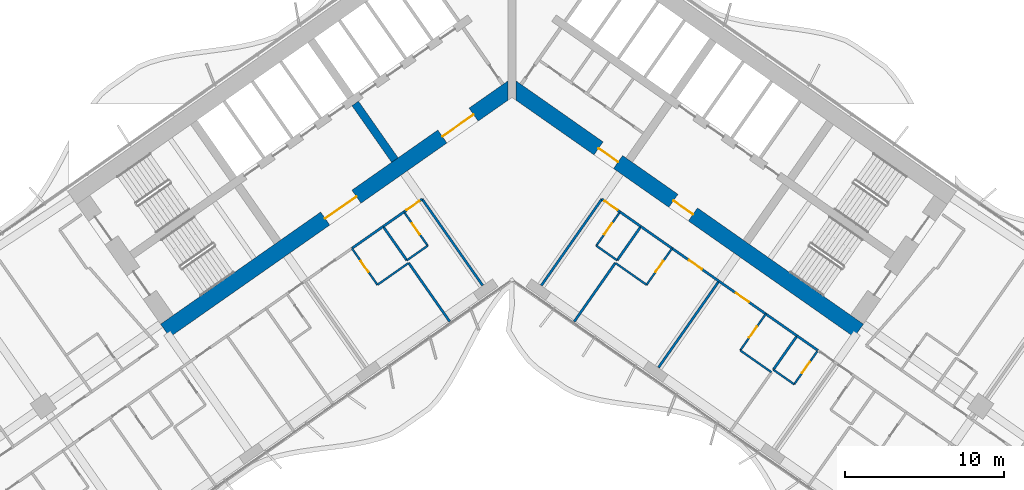
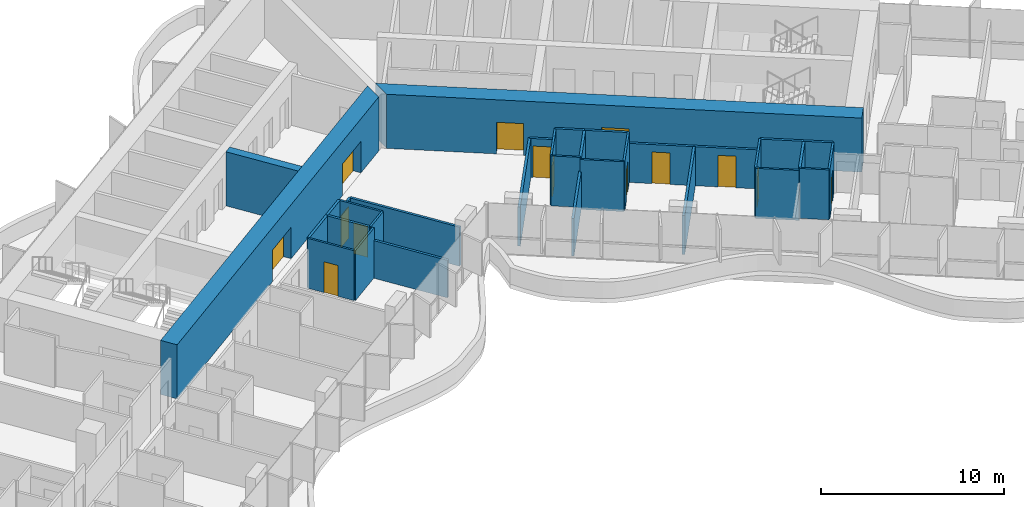
# One storey, part 15 of 25: 33 walls, 14 doors, 14 openings.
"""IFC4 building model written with IfcOpenShell, lengths in metres."""

from ifc_helpers import new_model, si_unit, direction, frame, frame_2d, origin, place, context, subcontext, project, spatial, polyline, rectangle, outline, extrude, material, layer, layer_set, type_object, element, fill, save


model = new_model("IFC4")

# Units and contexts
model_context = context("Model", 3, precision=1e-05, world=origin(), true_north=direction((0.0, 1.0)))
body_context = subcontext(model_context, "Body", "Model", "MODEL_VIEW")
ifc_project = project(units=[si_unit("LENGTHUNIT", "METRE"), si_unit("AREAUNIT", "SQUARE_METRE"), si_unit("VOLUMEUNIT", "CUBIC_METRE"), si_unit("PLANEANGLEUNIT", "RADIAN"), si_unit("MASSUNIT", "GRAM", prefix="KILO")], contexts=[model_context])

# Site, building, storey
site_placement = place(None, origin())
site = spatial("IfcSite", under=ifc_project, at=site_placement, CompositionType="ELEMENT")
building_placement = place(site_placement, origin())
building = spatial("IfcBuilding", under=site, at=building_placement, Name="Tel Ilan Convention Tower", CompositionType="ELEMENT")
storey_placement = place(building_placement, frame((0.0, 0.0, 58.10009765625)))
storey = spatial("IfcBuildingStorey", under=building, at=storey_placement, Name="L09", CompositionType="ELEMENT", Elevation=58.10009765625)

# Wall, openings, doors
ifc_material_1 = material(Name="Concrete C60/75", Category="concrete")
ifc_layer_1 = layer(ifc_material_1, 1.0)
ifc_layer_set_1 = layer_set([ifc_layer_1], Name="Core Shear Wall 1000 mm C60/75")
wall_type_1 = type_object("IfcWallType", Name="Core Shear Wall 1000 mm C60/75", PredefinedType="SHEAR", material=ifc_layer_set_1)
wall_1_placement = place(storey_placement, frame((0.036865234375, -0.584716796875, 0.0), z_axis=(0.0, 0.0, 1.0), x_axis=(-0.819157152511, -0.573569140985, 0.0)))
wall_1 = element("IfcWall", 1, at=wall_1_placement, inside=storey, type_object=wall_type_1, Name="L09 core wall W-front", PredefinedType="SHEAR", context=body_context, shape_type="SweptSolid", body=[
    extrude(outline(polyline([(26.69482421875, 0.500244140625), (0.7001953125, 0.499755859375), (0.0, -0.5), (26.69482421875, -0.499755859375), (26.69482421875, 0.500244140625)])), origin(), (0.0, 0.0, 1.0), 3.599853515625),
])
opening_1_placement = place(wall_1_placement, frame((2.994873046875, 0.0, 0.0)))
opening_1 = element("IfcOpeningElement", 2, at=opening_1_placement, cuts=wall_1, Name="Opening CD1105", PredefinedType="OPENING", context=body_context, shape_type="SweptSolid", body=[
    extrude(rectangle(XDim=2.39990234375, YDim=2.10009765625, at=frame_2d((1.199951171875, 1.050048828125))), frame((0.0, 0.510009765625, 0.0), z_axis=(0.0, -1.0, 0.0), x_axis=(1.0, 0.0, 0.0)), (0.0, 0.0, 1.0), 1.02001953125),
])
opening_2_placement = place(wall_1_placement, frame((11.994873046875, 0.0, 0.0)))
opening_2 = element("IfcOpeningElement", 3, at=opening_2_placement, cuts=wall_1, Name="Opening CD1106", PredefinedType="OPENING", context=body_context, shape_type="SweptSolid", body=[
    extrude(rectangle(XDim=2.39990234375, YDim=2.10009765625, at=frame_2d((1.199951171875, 1.050048828125))), frame((0.0, 0.510009765625, 0.0), z_axis=(0.0, -1.0, 0.0), x_axis=(1.0, 0.0, 0.0)), (0.0, 0.0, 1.0), 1.02001953125),
])
ifc_material_2 = material(Name="Glazed Aluminium Door Leaf", Category="aluminium")
door_type_1 = type_object("IfcDoorType", Name="Lobby Opening Door 2400 x 2100 FD60S", OperationType="NOTDEFINED", PredefinedType="DOOR", material=ifc_material_2)
door_1_placement = place(opening_1_placement, origin())
door_1 = element("IfcDoor", 4, at=door_1_placement, inside=storey, type_object=door_type_1, Name="Lift Lobby LR1-LR4 opening", OperationType="DOUBLE_DOOR_SINGLE_SWING", OverallHeight=2.10009765625, OverallWidth=2.39990234375, PredefinedType="DOOR", context=body_context, shape_type="SweptSolid", body=[
    extrude(rectangle(XDim=2.39990234375, YDim=2.10009765625, at=frame_2d((1.199951171875, 1.050048828125))), frame((0.0, 0.02490234375, 0.0), z_axis=(0.0, -1.0, 0.0), x_axis=(1.0, 0.0, 0.0)), (0.0, 0.0, 1.0), 0.050048828125),
])
fill(opening_1, door_1)
door_2_placement = place(opening_2_placement, origin())
door_2 = element("IfcDoor", 5, at=door_2_placement, inside=storey, type_object=door_type_1, Name="Lift Lobby LR5-LR8 opening", OperationType="DOUBLE_DOOR_SINGLE_SWING", OverallHeight=2.10009765625, OverallWidth=2.39990234375, PredefinedType="DOOR", context=body_context, shape_type="SweptSolid", body=[
    extrude(rectangle(XDim=2.39990234375, YDim=2.10009765625, at=frame_2d((1.199951171875, 1.050048828125))), frame((0.0, 0.02490234375, 0.0), z_axis=(0.0, -1.0, 0.0), x_axis=(1.0, 0.0, 0.0)), (0.0, 0.0, 1.0), 0.050048828125),
])
fill(opening_2, door_2)

wall_2_placement = place(storey_placement, frame((-0.036865234375, -0.584716796875, 0.0), z_axis=(0.0, 0.0, 1.0), x_axis=(0.819157152511, -0.573569140985, 0.0)))
wall_2 = element("IfcWall", 6, at=wall_2_placement, inside=storey, type_object=wall_type_1, Name="L09 core wall E-front", PredefinedType="SHEAR", context=body_context, shape_type="SweptSolid", body=[
    extrude(outline(polyline([(26.69482421875, 0.499755859375), (0.0, 0.5), (0.7001953125, -0.499755859375), (26.69482421875, -0.500244140625), (26.69482421875, 0.499755859375)])), origin(), (0.0, 0.0, 1.0), 3.599853515625),
])
opening_3_placement = place(wall_2_placement, frame((6.69482421875, 0.0, 0.0)))
opening_3 = element("IfcOpeningElement", 7, at=opening_3_placement, cuts=wall_2, Name="Opening CD1103", PredefinedType="OPENING", context=body_context, shape_type="SweptSolid", body=[
    extrude(rectangle(XDim=1.5, YDim=2.10009765625, at=frame_2d((0.75, 1.050048828125))), frame((0.0, 0.510009765625, 0.0), z_axis=(0.0, -1.0, 0.0), x_axis=(1.0, 0.0, 0.0)), (0.0, 0.0, 1.0), 1.02001953125),
])
opening_4_placement = place(wall_2_placement, frame((12.44482421875, 0.0, 0.0)))
opening_4 = element("IfcOpeningElement", 8, at=opening_4_placement, cuts=wall_2, Name="Opening CD1104", PredefinedType="OPENING", context=body_context, shape_type="SweptSolid", body=[
    extrude(rectangle(XDim=1.5, YDim=2.10009765625, at=frame_2d((0.75, 1.050048828125))), frame((0.0, 0.510009765625, 0.0), z_axis=(0.0, -1.0, 0.0), x_axis=(1.0, 0.0, 0.0)), (0.0, 0.0, 1.0), 1.02001953125),
])
ifc_material_3 = material(Name="Glazed Aluminium Door Leaf", Category="aluminium")
door_type_2 = type_object("IfcDoorType", Name="Lobby Opening Door 1500 x 2100 FD60S", OperationType="NOTDEFINED", PredefinedType="DOOR", material=ifc_material_3)
door_3_placement = place(opening_4_placement, origin())
door_3 = element("IfcDoor", 9, at=door_3_placement, inside=storey, type_object=door_type_2, Name="Firefighting Lobby door", OperationType="DOUBLE_DOOR_SINGLE_SWING", OverallHeight=2.10009765625, OverallWidth=1.5, PredefinedType="DOOR", context=body_context, shape_type="SweptSolid", body=[
    extrude(rectangle(XDim=1.5, YDim=2.10009765625, at=frame_2d((0.75, 1.050048828125))), frame((0.0, 0.02490234375, 0.0), z_axis=(0.0, -1.0, 0.0), x_axis=(1.0, 0.0, 0.0)), (0.0, 0.0, 1.0), 0.050048828125),
])
fill(opening_4, door_3)
ifc_material_4 = material(Name="Laminated Timber Door Leaf", Category="wood")
door_type_3 = type_object("IfcDoorType", Name="Toilet Door 1500 x 2100 FD30S", OperationType="NOTDEFINED", PredefinedType="DOOR", material=ifc_material_4)
door_4_placement = place(opening_3_placement, origin())
door_4 = element("IfcDoor", 10, at=door_4_placement, inside=storey, type_object=door_type_3, Name="WC Lobby door", OperationType="SINGLE_SWING_RIGHT", OverallHeight=2.10009765625, OverallWidth=1.5, PredefinedType="DOOR", context=body_context, shape_type="SweptSolid", body=[
    extrude(rectangle(XDim=1.5, YDim=2.10009765625, at=frame_2d((0.75, 1.050048828125))), frame((0.0, 0.02490234375, 0.0), z_axis=(0.0, -1.0, 0.0), x_axis=(1.0, 0.0, 0.0)), (0.0, 0.0, 1.0), 0.050048828125),
])
fill(opening_3, door_4)

# Wall
ifc_material_5 = material(Name="Concrete C60/75", Category="concrete")
ifc_layer_2 = layer(ifc_material_5, 0.5)
ifc_layer_set_2 = layer_set([ifc_layer_2], Name="Core Shear Wall 500 mm C60/75")
wall_type_2 = type_object("IfcWallType", Name="Core Shear Wall 500 mm C60/75", PredefinedType="SHEAR", material=ifc_layer_set_2)
wall_3_placement = place(storey_placement, frame((-7.372314453125, -5.162109375, 0.0), z_axis=(0.0, 0.0, 1.0), x_axis=(-0.573594173421, 0.819139624372, 0.0)))
element("IfcWall", 11, at=wall_3_placement, inside=storey, type_object=wall_type_2, Name="L09 core wall W-cross1-1", PredefinedType="SHEAR", context=body_context, shape_type="SweptSolid", body=[
    extrude(outline(polyline([(4.349853515625, 0.25), (0.0, 0.250244140625), (0.0, -0.25), (4.349853515625, -0.25), (4.349853515625, 0.25)])), origin(), (0.0, 0.0, 1.0), 3.599853515625),
])

# Wall, opening, door
ifc_material_6 = material(Name="Plasterboard on Steel Studs", Category="steel")
ifc_layer_3 = layer(ifc_material_6, 0.14990234375)
ifc_layer_set_3 = layer_set([ifc_layer_3], Name="Fire-rated Partition 150 EI 60")
wall_type_3 = type_object("IfcWallType", Name="Fire-rated Partition 150 EI 60", PredefinedType="PARTITIONING", material=ifc_layer_set_3)
wall_4_placement = place(storey_placement, frame((6.79931640625, -8.423095703125, 0.0), z_axis=(0.0, 0.0, 1.0), x_axis=(-0.819207359301, 0.573497430219, 0.0)))
wall_4 = element("IfcWall", 12, at=wall_4_placement, inside=storey, type_object=wall_type_3, Name="Partition 009", PredefinedType="PARTITIONING", context=body_context, shape_type="SweptSolid", body=[
    extrude(rectangle(XDim=1.40087890625, YDim=0.14990234375, at=frame_2d((0.700439453125, 0.0))), origin(), (0.0, 0.0, 1.0), 2.599853515625),
])
opening_5_placement = place(wall_4_placement, frame((0.200927734375, 0.0, 0.0)))
opening_5 = element("IfcOpeningElement", 13, at=opening_5_placement, cuts=wall_4, Name="Opening L08-025", PredefinedType="OPENING", context=body_context, shape_type="SweptSolid", body=[
    extrude(rectangle(XDim=1.0, YDim=2.10009765625, at=frame_2d((0.5, 1.050048828125))), frame((0.0, 0.0849609375, 0.0), z_axis=(0.0, -1.0, 0.0), x_axis=(1.0, 0.0, 0.0)), (0.0, 0.0, 1.0), 0.169921875),
])
ifc_material_7 = material(Name="Timber Door Leaf in Steel Frame", Category="steel")
door_type_4 = type_object("IfcDoorType", Name="Hotel Room Entrance Fire Door 1000x2100", OperationType="NOTDEFINED", PredefinedType="DOOR", material=ifc_material_7)
door_5_placement = place(opening_5_placement, origin())
door_5 = element("IfcDoor", 14, at=door_5_placement, inside=storey, type_object=door_type_4, Name="Door L08-025", OperationType="SINGLE_SWING_RIGHT", OverallHeight=2.10009765625, OverallWidth=1.0, PredefinedType="DOOR", context=body_context, shape_type="SweptSolid", body=[
    extrude(rectangle(XDim=1.0, YDim=2.10009765625, at=frame_2d((0.5, 1.050048828125))), frame((0.0, 0.02490234375, 0.0), z_axis=(0.0, -1.0, 0.0), x_axis=(1.0, 0.0, 0.0)), (0.0, 0.0, 1.0), 0.050048828125),
])
fill(opening_5, door_5)

# Wall
wall_5_placement = place(storey_placement, frame((8.110595703125, -9.341552734375, 0.0), z_axis=(0.0, 0.0, 1.0), x_axis=(-0.8190674132, 0.573697283098, 0.0)))
element("IfcWall", 15, at=wall_5_placement, inside=storey, type_object=wall_type_3, Name="Partition 011", PredefinedType="PARTITIONING", context=body_context, shape_type="SweptSolid", body=[
    extrude(rectangle(XDim=1.60400390625, YDim=0.14990234375, at=frame_2d((0.802001953125, 0.0))), origin(), (0.0, 0.0, 1.0), 3.31982421875),
])

# Wall, opening, door
wall_6_placement = place(storey_placement, frame((13.025634765625, -12.782958984375, 0.0), z_axis=(0.0, 0.0, 1.0), x_axis=(-0.819145961204, 0.573585123798, 0.0)))
wall_6 = element("IfcWall", 16, at=wall_6_placement, inside=storey, type_object=wall_type_3, Name="Partition 012", PredefinedType="PARTITIONING", context=body_context, shape_type="SweptSolid", body=[
    extrude(rectangle(XDim=3.60302734375, YDim=0.14990234375, at=frame_2d((1.801513671875, 0.0))), origin(), (0.0, 0.0, 1.0), 2.599853515625),
])
opening_6_placement = place(wall_6_placement, frame((1.302001953125, 0.0, 0.0)))
opening_6 = element("IfcOpeningElement", 17, at=opening_6_placement, cuts=wall_6, Name="Opening L08-027", PredefinedType="OPENING", context=body_context, shape_type="SweptSolid", body=[
    extrude(rectangle(XDim=1.0, YDim=2.10009765625, at=frame_2d((0.5, 1.050048828125))), frame((0.0, 0.0849609375, 0.0), z_axis=(0.0, -1.0, 0.0), x_axis=(1.0, 0.0, 0.0)), (0.0, 0.0, 1.0), 0.169921875),
])
door_6_placement = place(opening_6_placement, origin())
door_6 = element("IfcDoor", 18, at=door_6_placement, inside=storey, type_object=door_type_4, Name="Door L08-027", OperationType="SINGLE_SWING_LEFT", OverallHeight=2.10009765625, OverallWidth=1.0, PredefinedType="DOOR", context=body_context, shape_type="SweptSolid", body=[
    extrude(rectangle(XDim=1.0, YDim=2.10009765625, at=frame_2d((0.5, 1.050048828125))), frame((0.0, 0.02490234375, 0.0), z_axis=(0.0, -1.0, 0.0), x_axis=(1.0, 0.0, 0.0)), (0.0, 0.0, 1.0), 0.050048828125),
])
fill(opening_6, door_6)

# Wall
wall_7_placement = place(storey_placement, frame((10.07666015625, -10.718017578125, 0.0), z_axis=(0.0, 0.0, 1.0), x_axis=(-0.819146032251, 0.573585022335, 0.0)))
element("IfcWall", 19, at=wall_7_placement, inside=storey, type_object=wall_type_3, Name="Partition 013", PredefinedType="PARTITIONING", context=body_context, shape_type="SweptSolid", body=[
    extrude(rectangle(XDim=2.404052734375, YDim=0.14990234375, at=frame_2d((1.2021484375, 0.0))), origin(), (0.0, 0.0, 1.0), 3.31982421875),
])

# Wall, opening, door
wall_8_placement = place(storey_placement, frame((15.973876953125, -14.847412109375, 0.0), z_axis=(0.0, 0.0, 1.0), x_axis=(-0.819145961204, 0.573585123798, 0.0)))
wall_8 = element("IfcWall", 20, at=wall_8_placement, inside=storey, type_object=wall_type_3, Name="Partition 014", PredefinedType="PARTITIONING", context=body_context, shape_type="SweptSolid", body=[
    extrude(rectangle(XDim=3.60302734375, YDim=0.14990234375, at=frame_2d((1.801513671875, 0.0))), origin(), (0.0, 0.0, 1.0), 2.599853515625),
])
opening_7_placement = place(wall_8_placement, frame((1.301025390625, 0.0, 0.0)))
opening_7 = element("IfcOpeningElement", 21, at=opening_7_placement, cuts=wall_8, Name="Opening L08-029", PredefinedType="OPENING", context=body_context, shape_type="SweptSolid", body=[
    extrude(rectangle(XDim=1.0, YDim=2.10009765625, at=frame_2d((0.5, 1.050048828125))), frame((0.0, 0.0849609375, 0.0), z_axis=(0.0, -1.0, 0.0), x_axis=(1.0, 0.0, 0.0)), (0.0, 0.0, 1.0), 0.169921875),
])
door_7_placement = place(opening_7_placement, origin())
door_7 = element("IfcDoor", 22, at=door_7_placement, inside=storey, type_object=door_type_4, Name="Door L08-029", OperationType="SINGLE_SWING_LEFT", OverallHeight=2.10009765625, OverallWidth=1.0, PredefinedType="DOOR", context=body_context, shape_type="SweptSolid", body=[
    extrude(rectangle(XDim=1.0, YDim=2.10009765625, at=frame_2d((0.5, 1.050048828125))), frame((0.0, 0.02490234375, 0.0), z_axis=(0.0, -1.0, 0.0), x_axis=(1.0, 0.0, 0.0)), (0.0, 0.0, 1.0), 0.050048828125),
])
fill(opening_7, door_7)

# Walls
wall_9_placement = place(storey_placement, frame((17.940673828125, -16.224365234375, 0.0), z_axis=(0.0, 0.0, 1.0), x_axis=(-0.81922714955, 0.573469159974, 0.0)))
element("IfcWall", 23, at=wall_9_placement, inside=storey, type_object=wall_type_3, Name="Partition 015", PredefinedType="PARTITIONING", context=body_context, shape_type="SweptSolid", body=[
    extrude(rectangle(XDim=2.404052734375, YDim=0.14990234375, at=frame_2d((1.2021484375, 0.0))), origin(), (0.0, 0.0, 1.0), 3.31982421875),
])
wall_10_placement = place(storey_placement, frame((19.251220703125, -17.14208984375, 0.0), z_axis=(0.0, 0.0, 1.0), x_axis=(-0.819189013667, 0.573523634986, 0.0)))
element("IfcWall", 24, at=wall_10_placement, inside=storey, type_object=wall_type_3, Name="Partition 017", PredefinedType="PARTITIONING", context=body_context, shape_type="SweptSolid", body=[
    extrude(rectangle(XDim=1.60400390625, YDim=0.14990234375, at=frame_2d((0.802001953125, 0.0))), origin(), (0.0, 0.0, 1.0), 3.31982421875),
])

# Wall, opening, door
wall_11_placement = place(storey_placement, frame((-5.651611328125, -7.61962890625, 0.0), z_axis=(0.0, 0.0, 1.0), x_axis=(-0.819207359301, -0.573497430219, 0.0)))
wall_11 = element("IfcWall", 25, at=wall_11_placement, inside=storey, type_object=wall_type_3, Name="Partition 035", PredefinedType="PARTITIONING", context=body_context, shape_type="SweptSolid", body=[
    extrude(rectangle(XDim=1.40087890625, YDim=0.14990234375, at=frame_2d((0.700439453125, 0.0))), origin(), (0.0, 0.0, 1.0), 2.599853515625),
])
opening_8_placement = place(wall_11_placement, frame((0.199951171875, 0.0, 0.0)))
opening_8 = element("IfcOpeningElement", 26, at=opening_8_placement, cuts=wall_11, Name="Opening L08-002", PredefinedType="OPENING", context=body_context, shape_type="SweptSolid", body=[
    extrude(rectangle(XDim=1.0, YDim=2.10009765625, at=frame_2d((0.5, 1.050048828125))), frame((0.0, 0.0849609375, 0.0), z_axis=(0.0, -1.0, 0.0), x_axis=(1.0, 0.0, 0.0)), (0.0, 0.0, 1.0), 0.169921875),
])
door_8_placement = place(opening_8_placement, origin())
door_8 = element("IfcDoor", 27, at=door_8_placement, inside=storey, type_object=door_type_4, Name="Door L08-002", OperationType="SINGLE_SWING_LEFT", OverallHeight=2.10009765625, OverallWidth=1.0, PredefinedType="DOOR", context=body_context, shape_type="SweptSolid", body=[
    extrude(rectangle(XDim=1.0, YDim=2.10009765625, at=frame_2d((0.5, 1.050048828125))), frame((0.0, 0.02490234375, 0.0), z_axis=(0.0, -1.0, 0.0), x_axis=(1.0, 0.0, 0.0)), (0.0, 0.0, 1.0), 0.050048828125),
])
fill(opening_8, door_8)

# Walls
wall_12_placement = place(storey_placement, frame((-6.796875, -8.42138671875, 0.0), z_axis=(0.0, 0.0, 1.0), x_axis=(-0.8190674132, -0.573697283098, 0.0)))
element("IfcWall", 28, at=wall_12_placement, inside=storey, type_object=wall_type_3, Name="Partition 036", PredefinedType="PARTITIONING", context=body_context, shape_type="SweptSolid", body=[
    extrude(rectangle(XDim=1.60400390625, YDim=0.14990234375, at=frame_2d((0.802001953125, 0.0))), origin(), (0.0, 0.0, 1.0), 3.31982421875),
])
wall_13_placement = place(storey_placement, frame((-8.107421875, -9.339111328125, 0.0), z_axis=(0.0, 0.0, 1.0), x_axis=(-0.819146032251, -0.573585022335, 0.0)))
element("IfcWall", 29, at=wall_13_placement, inside=storey, type_object=wall_type_3, Name="Partition 038", PredefinedType="PARTITIONING", context=body_context, shape_type="SweptSolid", body=[
    extrude(rectangle(XDim=2.404052734375, YDim=0.14990234375, at=frame_2d((1.2021484375, 0.0))), origin(), (0.0, 0.0, 1.0), 3.31982421875),
])
wall_14_placement = place(storey_placement, frame((6.503662109375, -11.63330078125, 0.0), z_axis=(0.0, 0.0, 1.0), x_axis=(-0.573556991349, -0.819165659482, 0.0)))
element("IfcWall", 30, at=wall_14_placement, inside=storey, type_object=wall_type_3, Name="Partition 070", PredefinedType="PARTITIONING", context=body_context, shape_type="SweptSolid", body=[
    extrude(rectangle(XDim=4.5009765625, YDim=0.14990234375, at=frame_2d((2.25048828125, 0.0))), origin(), (0.0, 0.0, 1.0), 2.5),
])
wall_15_placement = place(storey_placement, frame((1.848876953125, -13.050537109375, 0.0), z_axis=(0.0, 0.0, 1.0), x_axis=(0.57357355307, 0.819154063177, 0.0)))
element("IfcWall", 31, at=wall_15_placement, inside=storey, type_object=wall_type_3, Name="Partition 071", PredefinedType="PARTITIONING", context=body_context, shape_type="SweptSolid", body=[
    extrude(rectangle(XDim=6.6298828125, YDim=0.14990234375, at=frame_2d((3.31494140625, 0.0))), origin(), (0.0, 0.0, 1.0), 2.599853515625),
])
wall_16_placement = place(storey_placement, frame((8.109130859375, -9.34033203125, 0.0), z_axis=(0.0, 0.0, 1.0), x_axis=(-0.573537965655, -0.819178980414, 0.0)))
element("IfcWall", 32, at=wall_16_placement, inside=storey, type_object=wall_type_3, Name="Partition 074", PredefinedType="PARTITIONING", context=body_context, shape_type="SweptSolid", body=[
    extrude(rectangle(XDim=2.60009765625, YDim=0.14990234375, at=frame_2d((1.300048828125, 0.0))), origin(), (0.0, 0.0, 1.0), 3.31982421875),
])
wall_17_placement = place(storey_placement, frame((13.02392578125, -12.78173828125, 0.0), z_axis=(0.0, 0.0, 1.0), x_axis=(-0.573556251799, -0.819166177294, 0.0)))
element("IfcWall", 33, at=wall_17_placement, inside=storey, type_object=wall_type_3, Name="Partition 077", PredefinedType="PARTITIONING", context=body_context, shape_type="SweptSolid", body=[
    extrude(rectangle(XDim=6.630126953125, YDim=0.14990234375, at=frame_2d((3.31494140625, 0.0))), origin(), (0.0, 0.0, 1.0), 2.599853515625),
])
wall_18_placement = place(storey_placement, frame((17.93896484375, -16.223388671875, 0.0), z_axis=(0.0, 0.0, 1.0), x_axis=(-0.573588285102, -0.819143747577, 0.0)))
element("IfcWall", 34, at=wall_18_placement, inside=storey, type_object=wall_type_3, Name="Partition 081", PredefinedType="PARTITIONING", context=body_context, shape_type="SweptSolid", body=[
    extrude(rectangle(XDim=2.601806640625, YDim=0.14990234375, at=frame_2d((1.30078125, 0.0))), origin(), (0.0, 0.0, 1.0), 3.31982421875),
])
wall_19_placement = place(storey_placement, frame((-1.848876953125, -13.050537109375, 0.0), z_axis=(0.0, 0.0, 1.0), x_axis=(-0.573575988258, 0.819152358047, 0.0)))
element("IfcWall", 35, at=wall_19_placement, inside=storey, type_object=wall_type_3, Name="Partition 101", PredefinedType="PARTITIONING", context=body_context, shape_type="SweptSolid", body=[
    extrude(rectangle(XDim=6.632080078125, YDim=0.14990234375, at=frame_2d((3.31591796875, 0.0))), origin(), (0.0, 0.0, 1.0), 2.599853515625),
])
wall_20_placement = place(storey_placement, frame((-3.922119140625, -15.3203125, 0.0), z_axis=(0.0, 0.0, 1.0), x_axis=(-0.573556991349, 0.819165659482, 0.0)))
element("IfcWall", 36, at=wall_20_placement, inside=storey, type_object=wall_type_3, Name="Partition 118", PredefinedType="PARTITIONING", context=body_context, shape_type="SweptSolid", body=[
    extrude(rectangle(XDim=4.5009765625, YDim=0.14990234375, at=frame_2d((2.25048828125, 0.0))), origin(), (0.0, 0.0, 1.0), 2.5),
])
wall_21_placement = place(storey_placement, frame((-6.617919921875, -11.47021484375, 0.0), z_axis=(0.0, 0.0, 1.0), x_axis=(-0.573537965655, 0.819178980414, 0.0)))
element("IfcWall", 37, at=wall_21_placement, inside=storey, type_object=wall_type_3, Name="Partition 119", PredefinedType="PARTITIONING", context=body_context, shape_type="SweptSolid", body=[
    extrude(rectangle(XDim=2.60009765625, YDim=0.14990234375, at=frame_2d((1.300048828125, 0.0))), origin(), (0.0, 0.0, 1.0), 3.31982421875),
])

# Wall, opening, door
ifc_material_8 = material(Name="Plasterboard on Steel Studs", Category="steel")
ifc_layer_4 = layer(ifc_material_8, 0.1201171875)
ifc_layer_set_4 = layer_set([ifc_layer_4], Name="Moisture-resistant Partition 120")
wall_type_4 = type_object("IfcWallType", Name="Moisture-resistant Partition 120", PredefinedType="PARTITIONING", material=ifc_layer_set_4)
wall_22_placement = place(storey_placement, frame((6.797607421875, -8.422119140625, 0.0), z_axis=(0.0, 0.0, 1.0), x_axis=(-0.573537965655, -0.819178980414, 0.0)))
wall_22 = element("IfcWall", 38, at=wall_22_placement, inside=storey, type_object=wall_type_4, Name="Partition 068", PredefinedType="PARTITIONING", context=body_context, shape_type="SweptSolid", body=[
    extrude(rectangle(XDim=2.60009765625, YDim=0.1201171875, at=frame_2d((1.300048828125, 0.0))), origin(), (0.0, 0.0, 1.0), 3.31982421875),
])
opening_9_placement = place(wall_22_placement, frame((0.875, 0.0, 0.0)))
opening_9 = element("IfcOpeningElement", 39, at=opening_9_placement, cuts=wall_22, Name="Opening L08-024", PredefinedType="OPENING", context=body_context, shape_type="SweptSolid", body=[
    extrude(rectangle(XDim=0.85009765625, YDim=2.050048828125, at=frame_2d((0.425048828125, 1.02490234375))), frame((0.0, 0.070068359375, 0.0), z_axis=(0.0, -1.0, 0.0), x_axis=(1.0, 0.0, 0.0)), (0.0, 0.0, 1.0), 0.14013671875),
])
ifc_material_9 = material(Name="Timber Door Leaf in Steel Frame", Category="steel")
door_type_5 = type_object("IfcDoorType", Name="Bathroom Timber Door 850x2050", OperationType="NOTDEFINED", PredefinedType="DOOR", material=ifc_material_9)
door_9_placement = place(opening_9_placement, origin())
door_9 = element("IfcDoor", 40, at=door_9_placement, inside=storey, type_object=door_type_5, Name="Door L08-024", OperationType="SINGLE_SWING_LEFT", OverallHeight=2.050048828125, OverallWidth=0.85009765625, PredefinedType="DOOR", context=body_context, shape_type="SweptSolid", body=[
    extrude(rectangle(XDim=0.85009765625, YDim=2.050048828125, at=frame_2d((0.425048828125, 1.02490234375))), frame((0.0, 0.02490234375, 0.0), z_axis=(0.0, -1.0, 0.0), x_axis=(1.0, 0.0, 0.0)), (0.0, 0.0, 1.0), 0.050048828125),
])
fill(opening_9, door_9)

# Walls
wall_23_placement = place(storey_placement, frame((5.306640625, -10.55322265625, 0.0), z_axis=(0.0, 0.0, 1.0), x_axis=(0.819131543282, -0.57360571371, 0.0)))
element("IfcWall", 41, at=wall_23_placement, inside=storey, type_object=wall_type_4, Name="Partition 069", PredefinedType="PARTITIONING", context=body_context, shape_type="SweptSolid", body=[
    extrude(rectangle(XDim=1.599853515625, YDim=0.1201171875, at=frame_2d((0.7998046875, 0.0))), origin(), (0.0, 0.0, 1.0), 3.31982421875),
])
wall_24_placement = place(storey_placement, frame((6.50244140625, -11.634765625, 0.0), z_axis=(0.0, 0.0, 1.0), x_axis=(0.819141114317, -0.573592045652, 0.0)))
element("IfcWall", 42, at=wall_24_placement, inside=storey, type_object=wall_type_4, Name="Partition 075", PredefinedType="PARTITIONING", context=body_context, shape_type="SweptSolid", body=[
    extrude(rectangle(XDim=2.400146484375, YDim=0.1201171875, at=frame_2d((1.2001953125, 0.0))), origin(), (0.0, 0.0, 1.0), 3.31982421875),
])

# Wall, opening, door
wall_25_placement = place(storey_placement, frame((8.469970703125, -13.01123046875, 0.0), z_axis=(0.0, 0.0, 1.0), x_axis=(0.573550118428, 0.819170471667, 0.0)))
wall_25 = element("IfcWall", 43, at=wall_25_placement, inside=storey, type_object=wall_type_4, Name="Partition 076", PredefinedType="PARTITIONING", context=body_context, shape_type="SweptSolid", body=[
    extrude(rectangle(XDim=2.800048828125, YDim=0.1201171875, at=frame_2d((1.39990234375, 0.0))), origin(), (0.0, 0.0, 1.0), 3.31982421875),
])
opening_10_placement = place(wall_25_placement, frame((0.97509765625, 0.0, 0.0)))
opening_10 = element("IfcOpeningElement", 44, at=opening_10_placement, cuts=wall_25, Name="Opening L08-026", PredefinedType="OPENING", context=body_context, shape_type="SweptSolid", body=[
    extrude(rectangle(XDim=0.85009765625, YDim=2.050048828125, at=frame_2d((0.425048828125, 1.02490234375))), frame((0.0, 0.070068359375, 0.0), z_axis=(0.0, -1.0, 0.0), x_axis=(1.0, 0.0, 0.0)), (0.0, 0.0, 1.0), 0.14013671875),
])
door_10_placement = place(opening_10_placement, origin())
door_10 = element("IfcDoor", 45, at=door_10_placement, inside=storey, type_object=door_type_5, Name="Door L08-026", OperationType="SINGLE_SWING_RIGHT", OverallHeight=2.050048828125, OverallWidth=0.85009765625, PredefinedType="DOOR", context=body_context, shape_type="SweptSolid", body=[
    extrude(rectangle(XDim=0.85009765625, YDim=2.050048828125, at=frame_2d((0.425048828125, 1.02490234375))), frame((0.0, 0.02490234375, 0.0), z_axis=(0.0, -1.0, 0.0), x_axis=(1.0, 0.0, 0.0)), (0.0, 0.0, 1.0), 0.050048828125),
])
fill(opening_10, door_10)

wall_26_placement = place(storey_placement, frame((15.97216796875, -14.84619140625, 0.0), z_axis=(0.0, 0.0, 1.0), x_axis=(-0.573550118428, -0.819170471667, 0.0)))
wall_26 = element("IfcWall", 46, at=wall_26_placement, inside=storey, type_object=wall_type_4, Name="Partition 078", PredefinedType="PARTITIONING", context=body_context, shape_type="SweptSolid", body=[
    extrude(rectangle(XDim=2.800048828125, YDim=0.1201171875, at=frame_2d((1.39990234375, 0.0))), origin(), (0.0, 0.0, 1.0), 3.31982421875),
])
opening_11_placement = place(wall_26_placement, frame((0.97509765625, 0.0, 0.0)))
opening_11 = element("IfcOpeningElement", 47, at=opening_11_placement, cuts=wall_26, Name="Opening L08-028", PredefinedType="OPENING", context=body_context, shape_type="SweptSolid", body=[
    extrude(rectangle(XDim=0.85009765625, YDim=2.050048828125, at=frame_2d((0.425048828125, 1.02490234375))), frame((0.0, 0.070068359375, 0.0), z_axis=(0.0, -1.0, 0.0), x_axis=(1.0, 0.0, 0.0)), (0.0, 0.0, 1.0), 0.14013671875),
])
door_11_placement = place(opening_11_placement, origin())
door_11 = element("IfcDoor", 48, at=door_11_placement, inside=storey, type_object=door_type_5, Name="Door L08-028", OperationType="SINGLE_SWING_RIGHT", OverallHeight=2.050048828125, OverallWidth=0.85009765625, PredefinedType="DOOR", context=body_context, shape_type="SweptSolid", body=[
    extrude(rectangle(XDim=0.85009765625, YDim=2.050048828125, at=frame_2d((0.425048828125, 1.02490234375))), frame((0.0, 0.02490234375, 0.0), z_axis=(0.0, -1.0, 0.0), x_axis=(1.0, 0.0, 0.0)), (0.0, 0.0, 1.0), 0.050048828125),
])
fill(opening_11, door_11)

# Walls
wall_27_placement = place(storey_placement, frame((14.366455078125, -17.14111328125, 0.0), z_axis=(0.0, 0.0, 1.0), x_axis=(0.819155442668, -0.573571582932, 0.0)))
element("IfcWall", 49, at=wall_27_placement, inside=storey, type_object=wall_type_4, Name="Partition 079", PredefinedType="PARTITIONING", context=body_context, shape_type="SweptSolid", body=[
    extrude(rectangle(XDim=2.39990234375, YDim=0.1201171875, at=frame_2d((1.199951171875, 0.0))), origin(), (0.0, 0.0, 1.0), 3.31982421875),
])
wall_28_placement = place(storey_placement, frame((16.447021484375, -18.35400390625, 0.0), z_axis=(0.0, 0.0, 1.0), x_axis=(0.819253425856, -0.573431621227, 0.0)))
element("IfcWall", 50, at=wall_28_placement, inside=storey, type_object=wall_type_4, Name="Partition 082", PredefinedType="PARTITIONING", context=body_context, shape_type="SweptSolid", body=[
    extrude(rectangle(XDim=1.60009765625, YDim=0.1201171875, at=frame_2d((0.800048828125, 0.0))), origin(), (0.0, 0.0, 1.0), 3.31982421875),
])

# Wall, opening, door
wall_29_placement = place(storey_placement, frame((17.759033203125, -19.271484375, 0.0), z_axis=(0.0, 0.0, 1.0), x_axis=(0.573600972199, 0.819134863556, 0.0)))
wall_29 = element("IfcWall", 51, at=wall_29_placement, inside=storey, type_object=wall_type_4, Name="Partition 083", PredefinedType="PARTITIONING", context=body_context, shape_type="SweptSolid", body=[
    extrude(rectangle(XDim=2.60009765625, YDim=0.1201171875, at=frame_2d((1.300048828125, 0.0))), origin(), (0.0, 0.0, 1.0), 3.31982421875),
])
opening_12_placement = place(wall_29_placement, frame((0.875, 0.0, 0.0)))
opening_12 = element("IfcOpeningElement", 52, at=opening_12_placement, cuts=wall_29, Name="Opening L08-030", PredefinedType="OPENING", context=body_context, shape_type="SweptSolid", body=[
    extrude(rectangle(XDim=0.85009765625, YDim=2.050048828125, at=frame_2d((0.425048828125, 1.02490234375))), frame((0.0, 0.070068359375, 0.0), z_axis=(0.0, -1.0, 0.0), x_axis=(1.0, 0.0, 0.0)), (0.0, 0.0, 1.0), 0.14013671875),
])
door_12_placement = place(opening_12_placement, origin())
door_12 = element("IfcDoor", 53, at=door_12_placement, inside=storey, type_object=door_type_5, Name="Door L08-030", OperationType="SINGLE_SWING_LEFT", OverallHeight=2.050048828125, OverallWidth=0.85009765625, PredefinedType="DOOR", context=body_context, shape_type="SweptSolid", body=[
    extrude(rectangle(XDim=0.85009765625, YDim=2.050048828125, at=frame_2d((0.425048828125, 1.02490234375))), frame((0.0, 0.02490234375, 0.0), z_axis=(0.0, -1.0, 0.0), x_axis=(1.0, 0.0, 0.0)), (0.0, 0.0, 1.0), 0.050048828125),
])
fill(opening_12, door_12)

# Wall
wall_30_placement = place(storey_placement, frame((-6.6171875, -11.470947265625, 0.0), z_axis=(0.0, 0.0, 1.0), x_axis=(0.819131543282, 0.57360571371, 0.0)))
element("IfcWall", 54, at=wall_30_placement, inside=storey, type_object=wall_type_4, Name="Partition 116", PredefinedType="PARTITIONING", context=body_context, shape_type="SweptSolid", body=[
    extrude(rectangle(XDim=1.599853515625, YDim=0.1201171875, at=frame_2d((0.7998046875, 0.0))), origin(), (0.0, 0.0, 1.0), 3.31982421875),
])

# Wall, opening, door
wall_31_placement = place(storey_placement, frame((-5.306396484375, -10.552001953125, 0.0), z_axis=(0.0, 0.0, 1.0), x_axis=(-0.573537965655, 0.819178980414, 0.0)))
wall_31 = element("IfcWall", 55, at=wall_31_placement, inside=storey, type_object=wall_type_4, Name="Partition 117", PredefinedType="PARTITIONING", context=body_context, shape_type="SweptSolid", body=[
    extrude(rectangle(XDim=2.60009765625, YDim=0.1201171875, at=frame_2d((1.300048828125, 0.0))), origin(), (0.0, 0.0, 1.0), 3.31982421875),
])
opening_13_placement = place(wall_31_placement, frame((0.875, 0.0, 0.0)))
opening_13 = element("IfcOpeningElement", 56, at=opening_13_placement, cuts=wall_31, Name="Opening L08-001", PredefinedType="OPENING", context=body_context, shape_type="SweptSolid", body=[
    extrude(rectangle(XDim=0.85009765625, YDim=2.050048828125, at=frame_2d((0.425048828125, 1.02490234375))), frame((0.0, 0.070068359375, 0.0), z_axis=(0.0, -1.0, 0.0), x_axis=(1.0, 0.0, 0.0)), (0.0, 0.0, 1.0), 0.14013671875),
])
door_13_placement = place(opening_13_placement, origin())
door_13 = element("IfcDoor", 57, at=door_13_placement, inside=storey, type_object=door_type_5, Name="Door L08-001", OperationType="SINGLE_SWING_RIGHT", OverallHeight=2.050048828125, OverallWidth=0.85009765625, PredefinedType="DOOR", context=body_context, shape_type="SweptSolid", body=[
    extrude(rectangle(XDim=0.85009765625, YDim=2.050048828125, at=frame_2d((0.425048828125, 1.02490234375))), frame((0.0, 0.02490234375, 0.0), z_axis=(0.0, -1.0, 0.0), x_axis=(1.0, 0.0, 0.0)), (0.0, 0.0, 1.0), 0.050048828125),
])
fill(opening_13, door_13)

wall_32_placement = place(storey_placement, frame((-10.075927734375, -10.717529296875, 0.0), z_axis=(0.0, 0.0, 1.0), x_axis=(0.573550118428, -0.819170471667, 0.0)))
wall_32 = element("IfcWall", 58, at=wall_32_placement, inside=storey, type_object=wall_type_4, Name="Partition 120", PredefinedType="PARTITIONING", context=body_context, shape_type="SweptSolid", body=[
    extrude(rectangle(XDim=2.800048828125, YDim=0.1201171875, at=frame_2d((1.39990234375, 0.0))), origin(), (0.0, 0.0, 1.0), 3.31982421875),
])
opening_14_placement = place(wall_32_placement, frame((0.97509765625, 0.0, 0.0)))
opening_14 = element("IfcOpeningElement", 59, at=opening_14_placement, cuts=wall_32, Name="Opening L08-003", PredefinedType="OPENING", context=body_context, shape_type="SweptSolid", body=[
    extrude(rectangle(XDim=0.85009765625, YDim=2.050048828125, at=frame_2d((0.425048828125, 1.02490234375))), frame((0.0, 0.070068359375, 0.0), z_axis=(0.0, -1.0, 0.0), x_axis=(1.0, 0.0, 0.0)), (0.0, 0.0, 1.0), 0.14013671875),
])
door_14_placement = place(opening_14_placement, origin())
door_14 = element("IfcDoor", 60, at=door_14_placement, inside=storey, type_object=door_type_5, Name="Door L08-003", OperationType="SINGLE_SWING_LEFT", OverallHeight=2.050048828125, OverallWidth=0.85009765625, PredefinedType="DOOR", context=body_context, shape_type="SweptSolid", body=[
    extrude(rectangle(XDim=0.85009765625, YDim=2.050048828125, at=frame_2d((0.425048828125, 1.02490234375))), frame((0.0, 0.02490234375, 0.0), z_axis=(0.0, -1.0, 0.0), x_axis=(1.0, 0.0, 0.0)), (0.0, 0.0, 1.0), 0.050048828125),
])
fill(opening_14, door_14)

# Wall
wall_33_placement = place(storey_placement, frame((-8.468505859375, -13.011474609375, 0.0), z_axis=(0.0, 0.0, 1.0), x_axis=(0.819141114317, 0.573592045652, 0.0)))
element("IfcWall", 61, at=wall_33_placement, inside=storey, type_object=wall_type_4, Name="Partition 121", PredefinedType="PARTITIONING", context=body_context, shape_type="SweptSolid", body=[
    extrude(rectangle(XDim=2.400146484375, YDim=0.1201171875, at=frame_2d((1.2001953125, 0.0))), origin(), (0.0, 0.0, 1.0), 3.31982421875),
])

save(model, "model.ifc")
